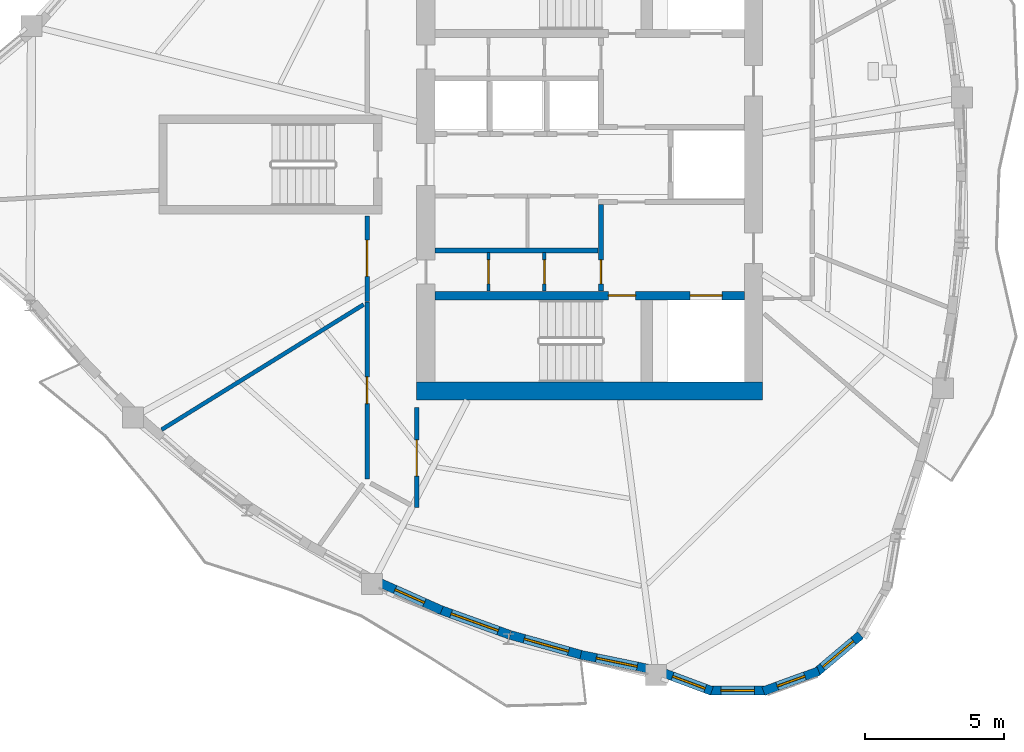
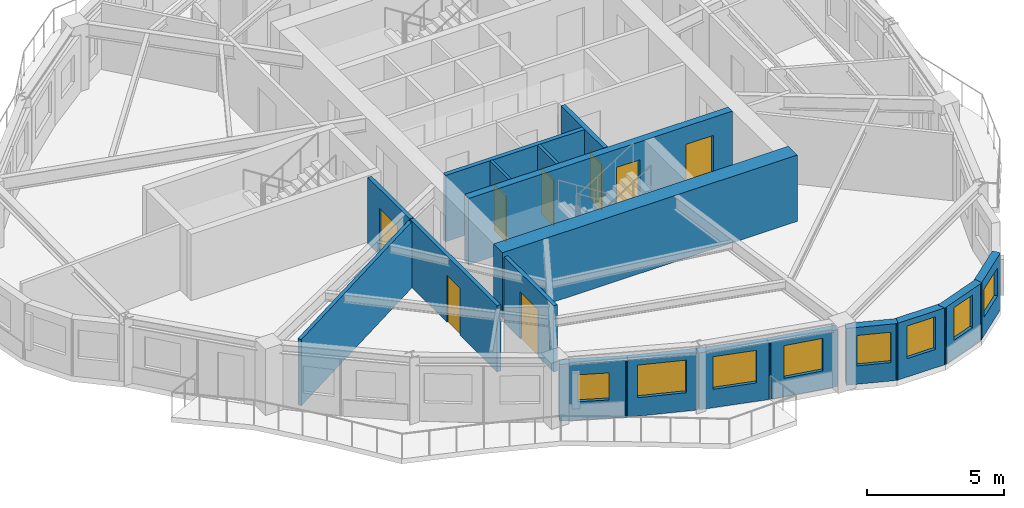
# One storey, part 3 of 12: 18 walls, 8 doors, 8 windows, 16 openings.
"""IFC4 building model written with IfcOpenShell, lengths in metres."""

import ifcopenshell
import ifcopenshell.guid

model = None  # the IFC model being written
_history = None  # IfcOwnerHistory: only IFC2X3 demands one
_inside = {}  # id of a spatial element -> (the spatial element, [elements in it])
_under = {}  # id of a project, library or spatial element -> (it, [spatial elements below it])
_declared = {}  # id of a project -> (the project, [libraries it declares])
_typed = {}  # id of a type object -> (the type object, [elements of that type])
_made_of = {}  # id of a material, layer set ... -> (it, [elements and type objects made of it])


def new_model(schema):
    """Start an empty IFC model of exactly this schema.

    Asked for "IFC4X3", IfcOpenShell would pick the latest addendum, in which some entities
    have other attributes; the version numbers below select the first issue.
    IFC2X3 requires an IfcOwnerHistory on every rooted entity: one is made here for all.
    """
    global model, _history
    if schema == "IFC4X3":
        model = ifcopenshell.file(schema_version=(4, 3, 0, 0))
    else:
        model = ifcopenshell.file(schema=schema)
    _inside.clear()
    _under.clear()
    _declared.clear()
    _typed.clear()
    _made_of.clear()
    _history = None
    if model.schema == "IFC2X3":
        org = make("IfcOrganization", Name="unknown")
        user = make(
            "IfcPersonAndOrganization",
            ThePerson=make("IfcPerson", FamilyName="unknown"),
            TheOrganization=org,
        )
        app = make(
            "IfcApplication",
            ApplicationDeveloper=org,
            Version="unknown",
            ApplicationFullName="unknown",
            ApplicationIdentifier="unknown",
        )
        _history = make(
            "IfcOwnerHistory",
            OwningUser=user,
            OwningApplication=app,
            ChangeAction="ADDED",
            CreationDate=0,
        )
    return model


def make(cls, **values):
    """One entity of the class cls with the attributes given. An attribute that is None is left unset."""
    return model.create_entity(
        cls, **{name: value for name, value in values.items() if value is not None}
    )


def rooted(cls, **values):
    """An entity with a GlobalId (a new one), such as an element, a storey or a relation."""
    return make(cls, GlobalId=ifcopenshell.guid.new(), OwnerHistory=_history, **values)


def si_unit(unit_type, name, prefix=None):
    """IfcSIUnit, for example si_unit("LENGTHUNIT", "METRE", prefix="MILLI")."""
    return make("IfcSIUnit", UnitType=unit_type, Prefix=prefix, Name=name)


def assignment(units):
    """IfcUnitAssignment: the units of a project."""
    return None if units is None else make("IfcUnitAssignment", Units=units)


def point(xyz):
    """IfcCartesianPoint."""
    return None if xyz is None else make("IfcCartesianPoint", Coordinates=xyz)


def direction(xyz):
    """IfcDirection."""
    return None if xyz is None else make("IfcDirection", DirectionRatios=xyz)


def frame(location, z_axis=None, x_axis=None):
    """IfcAxis2Placement3D, a coordinate frame: its origin and axes. An axis left out is left unset."""
    return make(
        "IfcAxis2Placement3D",
        Location=point(location),
        Axis=direction(z_axis),
        RefDirection=direction(x_axis),
    )


def frame_2d(location, x_axis=None):
    """IfcAxis2Placement2D, a coordinate frame in the plane: its origin and x axis."""
    return make(
        "IfcAxis2Placement2D", Location=point(location), RefDirection=direction(x_axis)
    )


def origin():
    """The frame at (0, 0, 0) with its axes left unset."""
    return frame((0.0, 0.0, 0.0))


def place(relative_to, where):
    """IfcLocalPlacement: puts the frame where relative to a parent placement (None: the world)."""
    return make(
        "IfcLocalPlacement", PlacementRelTo=relative_to, RelativePlacement=where
    )


def context(
    kind, dimensions, precision=None, world=None, true_north=None, identifier=None
):
    """IfcGeometricRepresentationContext, for example the 3D "Model" context."""
    return make(
        "IfcGeometricRepresentationContext",
        ContextIdentifier=identifier,
        ContextType=kind,
        CoordinateSpaceDimension=dimensions,
        Precision=precision,
        WorldCoordinateSystem=world,
        TrueNorth=true_north,
    )


def subcontext(parent, identifier, kind, view, scale=None):
    """IfcGeometricRepresentationSubContext, for example "Body" below "Model"."""
    return make(
        "IfcGeometricRepresentationSubContext",
        ContextIdentifier=identifier,
        ContextType=kind,
        ParentContext=parent,
        TargetScale=scale,
        TargetView=view,
    )


def project(units=None, contexts=None):
    """IfcProject with its units and contexts."""
    return rooted(
        "IfcProject",
        Name="project",
        RepresentationContexts=contexts,
        UnitsInContext=assignment(units),
    )


def spatial(cls, under=None, at=None, **own):
    """A site, building, storey or space (cls), placed at a placement, below another one or the project."""
    s = rooted(cls, ObjectPlacement=at, **own)
    if under is not None:
        _under.setdefault(under.id(), (under, []))[1].append(s)
    return s


def profile(cls, at=None, kind="AREA", **sizes):
    """A parametric profile (cls). Its sizes go by their IFC names, for example OverallWidth=200.0."""
    return make(cls, ProfileType=kind, Position=at, **sizes)


def rectangle(**sizes):
    """IfcRectangleProfileDef."""
    return profile("IfcRectangleProfileDef", **sizes)


def extrude(swept, where, along, depth):
    """IfcExtrudedAreaSolid: the profile swept, set in the frame where, extruded along a direction by depth."""
    return make(
        "IfcExtrudedAreaSolid",
        SweptArea=swept,
        Position=where,
        ExtrudedDirection=direction(along),
        Depth=depth,
    )


def shape(context_of_items, identifier, shape_type, items):
    """IfcShapeRepresentation: the items that make up one representation, for example the "Body"."""
    return make(
        "IfcShapeRepresentation",
        ContextOfItems=context_of_items,
        RepresentationIdentifier=identifier,
        RepresentationType=shape_type,
        Items=items,
    )


def source(mapping_origin, context_of_items, identifier, shape_type, items):
    """IfcRepresentationMap: a shape defined once, which mapped items show again and again."""
    return make(
        "IfcRepresentationMap",
        MappingOrigin=mapping_origin,
        MappedRepresentation=shape(context_of_items, identifier, shape_type, items),
    )


def transform(
    local_origin,
    x_axis=None,
    y_axis=None,
    z_axis=None,
    scale=None,
    scale2=None,
    scale3=None,
    uniform=True,
):
    """IfcCartesianTransformationOperator3D, or its non-uniform kind. x_axis, y_axis, z_axis: its Axis1, 2, 3."""
    if uniform:
        return make(
            "IfcCartesianTransformationOperator3D",
            Axis1=direction(x_axis),
            Axis2=direction(y_axis),
            LocalOrigin=point(local_origin),
            Scale=scale,
            Axis3=direction(z_axis),
        )
    return make(
        "IfcCartesianTransformationOperator3DnonUniform",
        Axis1=direction(x_axis),
        Axis2=direction(y_axis),
        LocalOrigin=point(local_origin),
        Scale=scale,
        Axis3=direction(z_axis),
        Scale2=scale2,
        Scale3=scale3,
    )


def mapped(mapping_source, mapping_target):
    """IfcMappedItem: shows the shape of a source again, moved by a transform."""
    return make(
        "IfcMappedItem", MappingSource=mapping_source, MappingTarget=mapping_target
    )


def material(Name=None, Category=None):
    """IfcMaterial."""
    return make("IfcMaterial", Name=Name, Category=Category)


def layer(
    of_material, thickness, ventilated=None, Name=None, Category=None, Priority=None
):
    """IfcMaterialLayer: one layer of a wall or slab, of a material (None: an air gap)."""
    return make(
        "IfcMaterialLayer",
        Material=of_material,
        LayerThickness=thickness,
        IsVentilated=ventilated,
        Name=Name,
        Category=Category,
        Priority=Priority,
    )


def layer_set(layers, Name=None):
    """IfcMaterialLayerSet."""
    return make("IfcMaterialLayerSet", MaterialLayers=layers, LayerSetName=Name)


def made_of(thing, what):
    """Note that an element or type object is made of a material, layer set ...; save() writes the relation."""
    if what is not None:
        _made_of.setdefault(what.id(), (what, []))[1].append(thing)
    return thing


def type_object(cls, material=None, **own):
    """A type object (cls), such as IfcWallType, which elements share."""
    return made_of(rooted(cls, **own), material)


def element(
    cls,
    number,
    at=None,
    inside=None,
    cuts=None,
    type_object=None,
    material=None,
    context=None,
    identifier="Body",
    shape_type=None,
    held_by="IfcProductDefinitionShape",
    body=None,
    shapes=None,
    **own,
):
    """One element of the class cls, such as IfcWall. Its Tag is "e" and its number.

    at: its placement. inside: the storey or other place that contains it. cuts: it is an
    opening in that element (IfcRelVoidsElement). A single representation is given by context,
    identifier, shape_type and body (its items); several are given by shapes. held_by: the class
    of the entity that holds the representations. save() writes the other relations.
    """
    e = rooted(cls, Tag="e%d" % number, ObjectPlacement=at, **own)
    if body is not None:
        shapes = [shape(context, identifier, shape_type, body)]
    if shapes is not None:
        e.Representation = make(held_by, Representations=shapes)
    if inside is not None:
        _inside.setdefault(inside.id(), (inside, []))[1].append(e)
    if cuts is not None:
        rooted(
            "IfcRelVoidsElement", RelatingBuildingElement=cuts, RelatedOpeningElement=e
        )
    if type_object is not None:
        _typed.setdefault(type_object.id(), (type_object, []))[1].append(e)
    return made_of(e, material)


def fill(opening, filler):
    """IfcRelFillsElement: the door or window that sits in an opening."""
    return rooted(
        "IfcRelFillsElement",
        RelatingOpeningElement=opening,
        RelatedBuildingElement=filler,
    )


def aggregate(whole, parts):
    """IfcRelAggregates: a whole, such as a stair, and the parts it consists of."""
    return rooted("IfcRelAggregates", RelatingObject=whole, RelatedObjects=parts)


def save(model, path):
    """Write the relations noted so far, then the file.

    IfcRelAggregates (storeys below a building ...), IfcRelContainedInSpatialStructure (elements
    in a storey), IfcRelDefinesByType, IfcRelAssociatesMaterial and IfcRelDeclares: one each for
    every whole, place, type object, material and project.
    """
    for whole, parts in _under.values():
        aggregate(whole, parts)
    for where, things in _inside.values():
        rooted(
            "IfcRelContainedInSpatialStructure",
            RelatedElements=things,
            RelatingStructure=where,
        )
    for kind, things in _typed.values():
        rooted("IfcRelDefinesByType", RelatedObjects=things, RelatingType=kind)
    for what, things in _made_of.values():
        rooted("IfcRelAssociatesMaterial", RelatedObjects=things, RelatingMaterial=what)
    for by, libraries in _declared.values():
        rooted("IfcRelDeclares", RelatingContext=by, RelatedDefinitions=libraries)
    model.write(path)


model = new_model("IFC4")

# Units and contexts
model_context = context("Model", 3, precision=1e-05, world=origin(), true_north=direction((0.0, 1.0)))
body_context = subcontext(model_context, "Body", "Model", "MODEL_VIEW")
ifc_project = project(units=[si_unit("LENGTHUNIT", "METRE"), si_unit("AREAUNIT", "SQUARE_METRE"), si_unit("VOLUMEUNIT", "CUBIC_METRE"), si_unit("PLANEANGLEUNIT", "RADIAN"), si_unit("MASSUNIT", "GRAM", prefix="KILO")], contexts=[model_context])

# Site, building, storey
site_placement = place(None, origin())
site = spatial("IfcSite", under=ifc_project, at=site_placement, CompositionType="ELEMENT")
building_placement = place(site_placement, origin())
building = spatial("IfcBuilding", under=site, at=building_placement, Name="Qafzar Sky-Pleat Residences", CompositionType="ELEMENT")
storey_placement = place(building_placement, frame((0.0, 0.0, 181.0)))
storey = spatial("IfcBuildingStorey", under=building, at=storey_placement, Name="L54", CompositionType="ELEMENT", Elevation=181.0)

# Wall, opening, door
ifc_material_1 = material(Name="Acoustic gypsum plasterboard partition", Category="gypsum")
ifc_layer_1 = layer(ifc_material_1, 0.159912109375)
ifc_layer_set_1 = layer_set([ifc_layer_1], Name="Acoustic gypsum plasterboard partition")
wall_type_1 = type_object("IfcWallType", Name="PART-COR-160", PredefinedType="PARTITIONING", material=ifc_layer_set_1)
wall_1_placement = place(storey_placement, frame((22.3701171875, 14.72998046875, 0.0), z_axis=(0.0, 0.0, 1.0), x_axis=(0.0, 1.0, 0.0)))
wall_1 = element("IfcWall", 1, at=wall_1_placement, inside=storey, type_object=wall_type_1, Name="L54 Partition Wall PART-L54-PW-002", PredefinedType="PARTITIONING", context=body_context, shape_type="SweptSolid", body=[
    extrude(rectangle(XDim=6.344970703125, YDim=0.159912109375, at=frame_2d((3.17236328125, 0.0))), origin(), (0.0, 0.0, 1.0), 2.949951171875),
])
opening_1_placement = place(wall_1_placement, frame((2.696533203125, 0.0, 0.0)))
opening_1 = element("IfcOpeningElement", 2, at=opening_1_placement, cuts=wall_1, Name="Opening ID-06", PredefinedType="OPENING", context=body_context, shape_type="SweptSolid", body=[
    extrude(rectangle(XDim=0.9599609375, YDim=2.10009765625, at=frame_2d((0.47998046875, 1.050048828125))), frame((0.0, 0.08984375, 0.0), z_axis=(0.0, -1.0, 0.0), x_axis=(1.0, 0.0, 0.0)), (0.0, 0.0, 1.0), 0.179931640625),
])
ifc_material_2 = material(Name="Timber-faced fire door", Category="wood")
door_type_1 = type_object("IfcDoorType", Name="DR-STD-960", OperationType="NOTDEFINED", PredefinedType="DOOR", material=ifc_material_2)
shared_shape_1 = source(origin(), body_context, "Body", "SweptSolid", [
    extrude(rectangle(XDim=0.9599609375, YDim=2.10009765625, at=frame_2d((0.47998046875, 1.050048828125))), frame((0.0, 0.02490234375, 0.0), z_axis=(0.0, -1.0, 0.0), x_axis=(1.0, 0.0, 0.0)), (0.0, 0.0, 1.0), 0.050048828125),
])
door_1_placement = place(opening_1_placement, origin())
door_1 = element("IfcDoor", 3, at=door_1_placement, inside=storey, type_object=door_type_1, Name="L54 Graduate Desk Workspace Door", OperationType="SINGLE_SWING_RIGHT", OverallHeight=2.10009765625, OverallWidth=0.9599609375, PredefinedType="DOOR", context=body_context, shape_type="MappedRepresentation", body=[
    mapped(shared_shape_1, transform((0.0, 0.0, 0.0), x_axis=(1.0, 0.0, 0.0), y_axis=(0.0, 1.0, 0.0), z_axis=(0.0, 0.0, 1.0), scale=1.0)),
])
fill(opening_1, door_1)

wall_2_placement = place(storey_placement, frame((24.14990234375, 17.2900390625, 0.0), z_axis=(0.0, 0.0, 1.0), x_axis=(0.0, -1.0, 0.0)))
wall_2 = element("IfcWall", 4, at=wall_2_placement, inside=storey, type_object=wall_type_1, Name="L54 Partition Wall PART-L54-PW-007", PredefinedType="PARTITIONING", context=body_context, shape_type="SweptSolid", body=[
    extrude(rectangle(XDim=3.593017578125, YDim=0.159912109375, at=frame_2d((1.79638671875, 0.0))), origin(), (0.0, 0.0, 1.0), 2.949951171875),
])
opening_2_placement = place(wall_2_placement, frame((1.159423828125, 0.0, 0.0)))
opening_2 = element("IfcOpeningElement", 5, at=opening_2_placement, cuts=wall_2, Name="Opening ID-05", PredefinedType="OPENING", context=body_context, shape_type="SweptSolid", body=[
    extrude(rectangle(XDim=1.300048828125, YDim=2.10009765625, at=frame_2d((0.64990234375, 1.050048828125))), frame((0.0, 0.08984375, 0.0), z_axis=(0.0, -1.0, 0.0), x_axis=(1.0, 0.0, 0.0)), (0.0, 0.0, 1.0), 0.179931640625),
])
door_type_2 = type_object("IfcDoorType", Name="DR-LNG-1300", OperationType="DOUBLE_DOOR_SINGLE_SWING", PredefinedType="DOOR", material=ifc_material_2)
shared_shape_2 = source(origin(), body_context, "Body", "SweptSolid", [
    extrude(rectangle(XDim=1.300048828125, YDim=2.10009765625, at=frame_2d((0.64990234375, 1.050048828125))), frame((0.0, 0.02490234375, 0.0), z_axis=(0.0, -1.0, 0.0), x_axis=(1.0, 0.0, 0.0)), (0.0, 0.0, 1.0), 0.050048828125),
])
door_2_placement = place(opening_2_placement, origin())
door_2 = element("IfcDoor", 6, at=door_2_placement, inside=storey, type_object=door_type_2, Name="L54 Academic Seminar Room Door", OperationType="DOUBLE_DOOR_SINGLE_SWING", OverallHeight=2.10009765625, OverallWidth=1.300048828125, PredefinedType="DOOR", context=body_context, shape_type="MappedRepresentation", body=[
    mapped(shared_shape_2, transform((0.0, 0.0, 0.0), x_axis=(1.0, 0.0, 0.0), y_axis=(0.0, 1.0, 0.0), z_axis=(0.0, 0.0, 1.0), scale=1.0)),
])
fill(opening_2, door_2)

wall_3_placement = place(storey_placement, frame((22.3701171875, 21.090087890625, 0.0), z_axis=(0.0, 0.0, 1.0), x_axis=(0.0, 1.0, 0.0)))
wall_3 = element("IfcWall", 7, at=wall_3_placement, inside=storey, type_object=wall_type_1, Name="L54 Partition Wall PART-L54-PW-009", PredefinedType="PARTITIONING", context=body_context, shape_type="SweptSolid", body=[
    extrude(rectangle(XDim=3.059814453125, YDim=0.159912109375, at=frame_2d((1.52978515625, 0.0))), origin(), (0.0, 0.0, 1.0), 2.949951171875),
])
opening_3_placement = place(wall_3_placement, frame((0.90087890625, 0.0, 0.0)))
opening_3 = element("IfcOpeningElement", 8, at=opening_3_placement, cuts=wall_3, Name="Opening ID-05", PredefinedType="OPENING", context=body_context, shape_type="SweptSolid", body=[
    extrude(rectangle(XDim=1.300048828125, YDim=2.10009765625, at=frame_2d((0.64990234375, 1.050048828125))), frame((0.0, 0.08984375, 0.0), z_axis=(0.0, -1.0, 0.0), x_axis=(1.0, 0.0, 0.0)), (0.0, 0.0, 1.0), 0.179931640625),
])
door_3_placement = place(opening_3_placement, origin())
door_3 = element("IfcDoor", 9, at=door_3_placement, inside=storey, type_object=door_type_2, Name="L54 Research Conference Room Door", OperationType="DOUBLE_DOOR_SINGLE_SWING", OverallHeight=2.10009765625, OverallWidth=1.300048828125, PredefinedType="DOOR", context=body_context, shape_type="MappedRepresentation", body=[
    mapped(shared_shape_2, transform((0.0, 0.0, 0.0), x_axis=(1.0, 0.0, 0.0), y_axis=(0.0, 1.0, 0.0), z_axis=(0.0, 0.0, 1.0), scale=1.0)),
])
fill(opening_3, door_3)

ifc_material_3 = material(Name="Concrete blockwork partition", Category="masonry")
ifc_layer_2 = layer(ifc_material_3, 0.179931640625)
ifc_layer_set_2 = layer_set([ifc_layer_2], Name="Concrete blockwork partition")
wall_type_2 = type_object("IfcWallType", Name="PART-SHAFT-180", PredefinedType="PARTITIONING", material=ifc_layer_set_2)
wall_4_placement = place(storey_placement, frame((30.75, 21.4599609375, 0.0), z_axis=(0.0, 0.0, 1.0), x_axis=(0.0, 1.0, 0.0)))
wall_4 = element("IfcWall", 10, at=wall_4_placement, inside=storey, type_object=wall_type_2, Name="L54 Partition Wall PART-L54-FFL1-W", PredefinedType="PARTITIONING", context=body_context, shape_type="SweptSolid", body=[
    extrude(rectangle(XDim=3.110107421875, YDim=0.179931640625, at=frame_2d((1.55517578125, 0.0))), origin(), (0.0, 0.0, 1.0), 2.949951171875),
])
opening_4_placement = place(wall_4_placement, frame((0.260009765625, 0.0, 0.0)))
opening_4 = element("IfcOpeningElement", 11, at=opening_4_placement, cuts=wall_4, Name="Opening ID-09", PredefinedType="OPENING", context=body_context, shape_type="SweptSolid", body=[
    extrude(rectangle(XDim=0.860107421875, YDim=2.050048828125, at=frame_2d((0.43017578125, 1.02490234375))), frame((0.0, 0.10009765625, 0.0), z_axis=(0.0, -1.0, 0.0), x_axis=(1.0, 0.0, 0.0)), (0.0, 0.0, 1.0), 0.199951171875),
])
door_type_3 = type_object("IfcDoorType", Name="DR-SVC-860", OperationType="NOTDEFINED", PredefinedType="DOOR", material=ifc_material_2)
shared_shape_3 = source(origin(), body_context, "Body", "SweptSolid", [
    extrude(rectangle(XDim=0.860107421875, YDim=2.050048828125, at=frame_2d((0.43017578125, 1.02490234375))), frame((0.0, 0.02490234375, 0.0), z_axis=(0.0, -1.0, 0.0), x_axis=(1.0, 0.0, 0.0)), (0.0, 0.0, 1.0), 0.050048828125),
])
door_4_placement = place(opening_4_placement, origin())
door_4 = element("IfcDoor", 12, at=door_4_placement, inside=storey, type_object=door_type_3, Name="L54 South Core Cupboard Door", OperationType="SINGLE_SWING_RIGHT", OverallHeight=2.050048828125, OverallWidth=0.860107421875, PredefinedType="DOOR", context=body_context, shape_type="MappedRepresentation", body=[
    mapped(shared_shape_3, transform((0.0, 0.0, 0.0), x_axis=(1.0, 0.0, 0.0), y_axis=(0.0, 1.0, 0.0), z_axis=(0.0, 0.0, 1.0), scale=1.0)),
])
fill(opening_4, door_4)

# Wall
wall_5_placement = place(storey_placement, frame((24.81005859375, 22.919921875, 0.0), z_axis=(0.0, 0.0, 1.0), x_axis=(1.0, 0.0, 0.0)))
element("IfcWall", 13, at=wall_5_placement, inside=storey, type_object=wall_type_2, Name="L54 Partition Wall PART-L54-P13-S", PredefinedType="PARTITIONING", context=body_context, shape_type="SweptSolid", body=[
    extrude(rectangle(XDim=5.83984375, YDim=0.179931640625, at=frame_2d((2.919921875, 0.0))), origin(), (0.0, 0.0, 1.0), 2.949951171875),
])

# Wall, opening, door
ifc_material_4 = material(Name="Gypsum plasterboard partition", Category="gypsum")
ifc_layer_3 = layer(ifc_material_4, 0.114990234375)
ifc_layer_set_3 = layer_set([ifc_layer_3], Name="Gypsum plasterboard partition")
wall_type_3 = type_object("IfcWallType", Name="PART-SVC-115", PredefinedType="PARTITIONING", material=ifc_layer_set_3)
wall_6_placement = place(storey_placement, frame((26.72509765625, 21.4599609375, 0.0), z_axis=(0.0, 0.0, 1.0), x_axis=(0.0, 1.0, 0.0)))
wall_6 = element("IfcWall", 14, at=wall_6_placement, inside=storey, type_object=wall_type_3, Name="L54 Partition Wall PART-L54-KC-SW-1", PredefinedType="PARTITIONING", context=body_context, shape_type="SweptSolid", body=[
    extrude(rectangle(XDim=1.380126953125, YDim=0.114990234375, at=frame_2d((0.68994140625, 0.0))), origin(), (0.0, 0.0, 1.0), 2.949951171875),
])
opening_5_placement = place(wall_6_placement, frame((0.260009765625, 0.0, 0.0)))
opening_5 = element("IfcOpeningElement", 15, at=opening_5_placement, cuts=wall_6, Name="Opening ID-09", PredefinedType="OPENING", context=body_context, shape_type="SweptSolid", body=[
    extrude(rectangle(XDim=0.860107421875, YDim=2.050048828125, at=frame_2d((0.43017578125, 1.02490234375))), frame((0.0, 0.0673828125, 0.0), z_axis=(0.0, -1.0, 0.0), x_axis=(1.0, 0.0, 0.0)), (0.0, 0.0, 1.0), 0.135009765625),
])
door_5_placement = place(opening_5_placement, origin())
door_5 = element("IfcDoor", 16, at=door_5_placement, inside=storey, type_object=door_type_3, Name="L54 Core South Cupboard 1 Door", OperationType="SINGLE_SWING_RIGHT", OverallHeight=2.050048828125, OverallWidth=0.860107421875, PredefinedType="DOOR", context=body_context, shape_type="MappedRepresentation", body=[
    mapped(shared_shape_3, transform((0.0, 0.0, 0.0), x_axis=(1.0, 0.0, 0.0), y_axis=(0.0, 1.0, 0.0), z_axis=(0.0, 0.0, 1.0), scale=1.0)),
])
fill(opening_5, door_5)

wall_7_placement = place(storey_placement, frame((28.72509765625, 21.4599609375, 0.0), z_axis=(0.0, 0.0, 1.0), x_axis=(0.0, 1.0, 0.0)))
wall_7 = element("IfcWall", 17, at=wall_7_placement, inside=storey, type_object=wall_type_3, Name="L54 Partition Wall PART-L54-KC-SW-2", PredefinedType="PARTITIONING", context=body_context, shape_type="SweptSolid", body=[
    extrude(rectangle(XDim=1.380126953125, YDim=0.114990234375, at=frame_2d((0.68994140625, 0.0))), origin(), (0.0, 0.0, 1.0), 2.949951171875),
])
opening_6_placement = place(wall_7_placement, frame((0.260009765625, 0.0, 0.0)))
opening_6 = element("IfcOpeningElement", 18, at=opening_6_placement, cuts=wall_7, Name="Opening ID-09", PredefinedType="OPENING", context=body_context, shape_type="SweptSolid", body=[
    extrude(rectangle(XDim=0.860107421875, YDim=2.050048828125, at=frame_2d((0.43017578125, 1.02490234375))), frame((0.0, 0.0673828125, 0.0), z_axis=(0.0, -1.0, 0.0), x_axis=(1.0, 0.0, 0.0)), (0.0, 0.0, 1.0), 0.135009765625),
])
door_6_placement = place(opening_6_placement, origin())
door_6 = element("IfcDoor", 19, at=door_6_placement, inside=storey, type_object=door_type_3, Name="L54 Core South Cupboard 2 Door", OperationType="SINGLE_SWING_RIGHT", OverallHeight=2.050048828125, OverallWidth=0.860107421875, PredefinedType="DOOR", context=body_context, shape_type="MappedRepresentation", body=[
    mapped(shared_shape_3, transform((0.0, 0.0, 0.0), x_axis=(1.0, 0.0, 0.0), y_axis=(0.0, 1.0, 0.0), z_axis=(0.0, 0.0, 1.0), scale=1.0)),
])
fill(opening_6, door_6)

# Wall
ifc_layer_4 = layer(ifc_material_1, 0.14501953125)
ifc_layer_set_4 = layer_set([ifc_layer_4], Name="Acoustic gypsum plasterboard partition")
wall_type_4 = type_object("IfcWallType", Name="PART-UNIT-145", PredefinedType="PARTITIONING", material=ifc_layer_set_4)
wall_8_placement = place(storey_placement, frame((15.002197265625, 16.494140625, 0.0), z_axis=(0.0, 0.0, 1.0), x_axis=(0.850179022177, 0.5264937134, 0.0)))
element("IfcWall", 20, at=wall_8_placement, inside=storey, type_object=wall_type_4, Name="L54 Partition Wall PART-L54-PW-012", PredefinedType="PARTITIONING", context=body_context, shape_type="SweptSolid", body=[
    extrude(rectangle(XDim=8.519287109375, YDim=0.14501953125, at=frame_2d((4.259765625, 0.0))), origin(), (0.0, 0.0, 1.0), 2.949951171875),
])

# Wall, opening, window
ifc_material_5 = material(Name="Precast concrete C40/50 with honed Riyadh limestone", Category="concrete")
ifc_layer_5 = layer(ifc_material_5, 0.320068359375)
ifc_layer_set_5 = layer_set([ifc_layer_5], Name="Precast concrete C40/50 with honed Riyadh limestone")
wall_type_5 = type_object("IfcWallType", Name="WALL-EXT-320", PredefinedType="SOLIDWALL", material=ifc_layer_set_5)
wall_9_placement = place(storey_placement, frame((22.763671875, 11.03076171875, 0.0), z_axis=(0.0, 0.0, 1.0), x_axis=(0.913148933567, -0.407626084942, 0.0)))
wall_9 = element("IfcWall", 21, at=wall_9_placement, inside=storey, type_object=wall_type_5, Name="L54 Limestone Facade Wall 13", PredefinedType="SOLIDWALL", context=body_context, shape_type="SweptSolid", body=[
    extrude(rectangle(XDim=2.496337890625, YDim=0.320068359375, at=frame_2d((1.248046875, 0.0))), origin(), (0.0, 0.0, 1.0), 2.530029296875),
])
opening_7_placement = place(wall_9_placement, frame((0.668212890625, 0.0, 0.820068359375)))
opening_7 = element("IfcOpeningElement", 22, at=opening_7_placement, cuts=wall_9, Name="Opening WN-16", PredefinedType="OPENING", context=body_context, shape_type="SweptSolid", body=[
    extrude(rectangle(XDim=1.14990234375, YDim=1.199951171875, at=frame_2d((0.574951171875, 0.60009765625))), frame((0.0, 0.169921875, 0.0), z_axis=(0.0, -1.0, 0.0), x_axis=(1.0, 0.0, 0.0)), (0.0, 0.0, 1.0), 0.340087890625),
])
ifc_material_6 = material(Name="Solar-control low-E glass in bronze aluminium frame", Category="glass")
window_type_1 = type_object("IfcWindowType", Name="WIN-16", PartitioningType="SINGLE_PANEL", PredefinedType="WINDOW", material=ifc_material_6)
shared_shape_4 = source(origin(), body_context, "Body", "SweptSolid", [
    extrude(rectangle(XDim=1.14990234375, YDim=1.199951171875, at=frame_2d((0.574951171875, 0.60009765625))), frame((0.0, 0.030029296875, 0.0), z_axis=(0.0, -1.0, 0.0), x_axis=(1.0, 0.0, 0.0)), (0.0, 0.0, 1.0), 0.06005859375),
])
window_1_placement = place(opening_7_placement, origin())
window_1 = element("IfcWindow", 23, at=window_1_placement, inside=storey, type_object=window_type_1, Name="L54 Punched Facade Window 13", OverallHeight=1.199951171875, OverallWidth=1.14990234375, PartitioningType="SINGLE_PANEL", PredefinedType="WINDOW", context=body_context, shape_type="MappedRepresentation", body=[
    mapped(shared_shape_4, transform((0.0, 0.0, 0.0), x_axis=(1.0, 0.0, 0.0), y_axis=(0.0, 1.0, 0.0), z_axis=(0.0, 0.0, 1.0), scale=1.0)),
])
fill(opening_7, window_1)

wall_10_placement = place(storey_placement, frame((24.961669921875, 10.046142578125, 0.0), z_axis=(0.0, 0.0, 1.0), x_axis=(0.940882751101, -0.33873241457, 0.0)))
wall_10 = element("IfcWall", 24, at=wall_10_placement, inside=storey, type_object=wall_type_5, Name="L54 Limestone Facade Wall 14", PredefinedType="SOLIDWALL", context=body_context, shape_type="SweptSolid", body=[
    extrude(rectangle(XDim=2.671142578125, YDim=0.320068359375, at=frame_2d((1.33544921875, 0.0))), origin(), (0.0, 0.0, 1.0), 2.530029296875),
])
opening_8_placement = place(wall_10_placement, frame((0.445556640625, 0.0, 0.820068359375)))
opening_8 = element("IfcOpeningElement", 25, at=opening_8_placement, cuts=wall_10, Name="Opening WN-01", PredefinedType="OPENING", context=body_context, shape_type="SweptSolid", body=[
    extrude(rectangle(XDim=1.800048828125, YDim=1.449951171875, at=frame_2d((0.89990234375, 0.72509765625))), frame((0.0, 0.169921875, 0.0), z_axis=(0.0, -1.0, 0.0), x_axis=(1.0, 0.0, 0.0)), (0.0, 0.0, 1.0), 0.340087890625),
])
window_type_2 = type_object("IfcWindowType", Name="WIN-01", PartitioningType="DOUBLE_PANEL_VERTICAL", PredefinedType="WINDOW", material=ifc_material_6)
shared_shape_5 = source(origin(), body_context, "Body", "SweptSolid", [
    extrude(rectangle(XDim=1.800048828125, YDim=1.449951171875, at=frame_2d((0.89990234375, 0.72509765625))), frame((0.0, 0.030029296875, 0.0), z_axis=(0.0, -1.0, 0.0), x_axis=(1.0, 0.0, 0.0)), (0.0, 0.0, 1.0), 0.06005859375),
])
window_2_placement = place(opening_8_placement, origin())
window_2 = element("IfcWindow", 26, at=window_2_placement, inside=storey, type_object=window_type_2, Name="L54 Punched Facade Window 14", OverallHeight=1.449951171875, OverallWidth=1.800048828125, PartitioningType="SINGLE_PANEL", PredefinedType="WINDOW", context=body_context, shape_type="MappedRepresentation", body=[
    mapped(shared_shape_5, transform((0.0, 0.0, 0.0), x_axis=(1.0, 0.0, 0.0), y_axis=(0.0, 1.0, 0.0), z_axis=(0.0, 0.0, 1.0), scale=1.0)),
])
fill(opening_8, window_2)

wall_11_placement = place(storey_placement, frame((27.501953125, 9.1328125, 0.0), z_axis=(0.0, 0.0, 1.0), x_axis=(0.962852806557, -0.270026800345, 0.0)))
wall_11 = element("IfcWall", 27, at=wall_11_placement, inside=storey, type_object=wall_type_5, Name="L54 Limestone Facade Wall 15", PredefinedType="SOLIDWALL", context=body_context, shape_type="SweptSolid", body=[
    extrude(rectangle(XDim=2.715087890625, YDim=0.320068359375, at=frame_2d((1.357421875, 0.0))), origin(), (0.0, 0.0, 1.0), 2.530029296875),
])
opening_9_placement = place(wall_11_placement, frame((0.522705078125, 0.0, 0.820068359375)))
opening_9 = element("IfcOpeningElement", 28, at=opening_9_placement, cuts=wall_11, Name="Opening WN-02", PredefinedType="OPENING", context=body_context, shape_type="SweptSolid", body=[
    extrude(rectangle(XDim=1.64990234375, YDim=1.449951171875, at=frame_2d((0.824951171875, 0.72509765625))), frame((0.0, 0.169921875, 0.0), z_axis=(0.0, -1.0, 0.0), x_axis=(1.0, 0.0, 0.0)), (0.0, 0.0, 1.0), 0.340087890625),
])
window_type_3 = type_object("IfcWindowType", Name="WIN-02", PartitioningType="DOUBLE_PANEL_VERTICAL", PredefinedType="WINDOW", material=ifc_material_6)
shared_shape_6 = source(origin(), body_context, "Body", "SweptSolid", [
    extrude(rectangle(XDim=1.64990234375, YDim=1.449951171875, at=frame_2d((0.824951171875, 0.72509765625))), frame((0.0, 0.030029296875, 0.0), z_axis=(0.0, -1.0, 0.0), x_axis=(1.0, 0.0, 0.0)), (0.0, 0.0, 1.0), 0.06005859375),
])
window_3_placement = place(opening_9_placement, origin())
window_3 = element("IfcWindow", 29, at=window_3_placement, inside=storey, type_object=window_type_3, Name="L54 Punched Facade Window 15", OverallHeight=1.449951171875, OverallWidth=1.64990234375, PartitioningType="SINGLE_PANEL", PredefinedType="WINDOW", context=body_context, shape_type="MappedRepresentation", body=[
    mapped(shared_shape_6, transform((0.0, 0.0, 0.0), x_axis=(1.0, 0.0, 0.0), y_axis=(0.0, 1.0, 0.0), z_axis=(0.0, 0.0, 1.0), scale=1.0)),
])
fill(opening_9, window_3)

wall_12_placement = place(storey_placement, frame((30.03173828125, 8.42041015625, 0.0), z_axis=(0.0, 0.0, 1.0), x_axis=(0.979291555144, -0.202455056799, 0.0)))
wall_12 = element("IfcWall", 30, at=wall_12_placement, inside=storey, type_object=wall_type_5, Name="L54 Limestone Facade Wall 16", PredefinedType="SOLIDWALL", context=body_context, shape_type="SweptSolid", body=[
    extrude(rectangle(XDim=2.627685546875, YDim=0.320068359375, at=frame_2d((1.31396484375, 0.0))), origin(), (0.0, 0.0, 1.0), 2.530029296875),
])
opening_10_placement = place(wall_12_placement, frame((0.56884765625, 0.0, 0.820068359375)))
opening_10 = element("IfcOpeningElement", 31, at=opening_10_placement, cuts=wall_12, Name="Opening WN-03", PredefinedType="OPENING", context=body_context, shape_type="SweptSolid", body=[
    extrude(rectangle(XDim=1.5, YDim=1.449951171875, at=frame_2d((0.75, 0.72509765625))), frame((0.0, 0.169921875, 0.0), z_axis=(0.0, -1.0, 0.0), x_axis=(1.0, 0.0, 0.0)), (0.0, 0.0, 1.0), 0.340087890625),
])
window_type_4 = type_object("IfcWindowType", Name="WIN-03", PartitioningType="DOUBLE_PANEL_VERTICAL", PredefinedType="WINDOW", material=ifc_material_6)
shared_shape_7 = source(origin(), body_context, "Body", "SweptSolid", [
    extrude(rectangle(XDim=1.5, YDim=1.449951171875, at=frame_2d((0.75, 0.72509765625))), frame((0.0, 0.030029296875, 0.0), z_axis=(0.0, -1.0, 0.0), x_axis=(1.0, 0.0, 0.0)), (0.0, 0.0, 1.0), 0.06005859375),
])
window_4_placement = place(opening_10_placement, origin())
window_4 = element("IfcWindow", 32, at=window_4_placement, inside=storey, type_object=window_type_4, Name="L54 Punched Facade Window 16", OverallHeight=1.449951171875, OverallWidth=1.5, PartitioningType="SINGLE_PANEL", PredefinedType="WINDOW", context=body_context, shape_type="MappedRepresentation", body=[
    mapped(shared_shape_7, transform((0.0, 0.0, 0.0), x_axis=(1.0, 0.0, 0.0), y_axis=(0.0, 1.0, 0.0), z_axis=(0.0, 0.0, 1.0), scale=1.0)),
])
fill(opening_10, window_4)

wall_13_placement = place(storey_placement, frame((32.944580078125, 7.79052734375, 0.0), z_axis=(0.0, 0.0, 1.0), x_axis=(0.93690697627, -0.349578771977, 0.0)))
wall_13 = element("IfcWall", 33, at=wall_13_placement, inside=storey, type_object=wall_type_5, Name="L54 Limestone Facade Wall 17", PredefinedType="SOLIDWALL", context=body_context, shape_type="SweptSolid", body=[
    extrude(rectangle(XDim=1.906005859375, YDim=0.320068359375, at=frame_2d((0.953125, 0.0))), origin(), (0.0, 0.0, 1.0), 2.530029296875),
])
opening_11_placement = place(wall_13_placement, frame((0.40283203125, 0.0, 0.820068359375)))
opening_11 = element("IfcOpeningElement", 34, at=opening_11_placement, cuts=wall_13, Name="Opening WN-11", PredefinedType="OPENING", context=body_context, shape_type="SweptSolid", body=[
    extrude(rectangle(XDim=1.25, YDim=1.35009765625, at=frame_2d((0.625, 0.675048828125))), frame((0.0, 0.169921875, 0.0), z_axis=(0.0, -1.0, 0.0), x_axis=(1.0, 0.0, 0.0)), (0.0, 0.0, 1.0), 0.340087890625),
])
window_type_5 = type_object("IfcWindowType", Name="WIN-11", PartitioningType="SINGLE_PANEL", PredefinedType="WINDOW", material=ifc_material_6)
shared_shape_8 = source(origin(), body_context, "Body", "SweptSolid", [
    extrude(rectangle(XDim=1.25, YDim=1.35009765625, at=frame_2d((0.625, 0.675048828125))), frame((0.0, 0.030029296875, 0.0), z_axis=(0.0, -1.0, 0.0), x_axis=(1.0, 0.0, 0.0)), (0.0, 0.0, 1.0), 0.06005859375),
])
window_5_placement = place(opening_11_placement, origin())
window_5 = element("IfcWindow", 35, at=window_5_placement, inside=storey, type_object=window_type_5, Name="L54 Punched Facade Window 17", OverallHeight=1.35009765625, OverallWidth=1.25, PartitioningType="SINGLE_PANEL", PredefinedType="WINDOW", context=body_context, shape_type="MappedRepresentation", body=[
    mapped(shared_shape_8, transform((0.0, 0.0, 0.0), x_axis=(1.0, 0.0, 0.0), y_axis=(0.0, 1.0, 0.0), z_axis=(0.0, 0.0, 1.0), scale=1.0)),
])
fill(opening_11, window_5)

wall_14_placement = place(storey_placement, frame((34.6015625, 7.14794921875, 0.0), z_axis=(0.0, 0.0, 1.0), x_axis=(0.9999881768, -0.004862742089, 0.0)))
wall_14 = element("IfcWall", 36, at=wall_14_placement, inside=storey, type_object=wall_type_5, Name="L54 Limestone Facade Wall 18", PredefinedType="SOLIDWALL", context=body_context, shape_type="SweptSolid", body=[
    extrude(rectangle(XDim=2.108642578125, YDim=0.320068359375, at=frame_2d((1.05419921875, 0.0))), origin(), (0.0, 0.0, 1.0), 2.530029296875),
])
opening_12_placement = place(wall_14_placement, frame((0.454345703125, 0.0, 0.820068359375)))
opening_12 = element("IfcOpeningElement", 37, at=opening_12_placement, cuts=wall_14, Name="Opening WN-05", PredefinedType="OPENING", context=body_context, shape_type="SweptSolid", body=[
    extrude(rectangle(XDim=1.199951171875, YDim=1.449951171875, at=frame_2d((0.60009765625, 0.72509765625))), frame((0.0, 0.169921875, 0.0), z_axis=(0.0, -1.0, 0.0), x_axis=(1.0, 0.0, 0.0)), (0.0, 0.0, 1.0), 0.340087890625),
])
window_type_6 = type_object("IfcWindowType", Name="WIN-05", PartitioningType="SINGLE_PANEL", PredefinedType="WINDOW", material=ifc_material_6)
shared_shape_9 = source(origin(), body_context, "Body", "SweptSolid", [
    extrude(rectangle(XDim=1.199951171875, YDim=1.449951171875, at=frame_2d((0.60009765625, 0.72509765625))), frame((0.0, 0.030029296875, 0.0), z_axis=(0.0, -1.0, 0.0), x_axis=(1.0, 0.0, 0.0)), (0.0, 0.0, 1.0), 0.06005859375),
])
window_6_placement = place(opening_12_placement, origin())
window_6 = element("IfcWindow", 38, at=window_6_placement, inside=storey, type_object=window_type_6, Name="L54 Punched Facade Window 18", OverallHeight=1.449951171875, OverallWidth=1.199951171875, PartitioningType="SINGLE_PANEL", PredefinedType="WINDOW", context=body_context, shape_type="MappedRepresentation", body=[
    mapped(shared_shape_9, transform((0.0, 0.0, 0.0), x_axis=(1.0, 0.0, 0.0), y_axis=(0.0, 1.0, 0.0), z_axis=(0.0, 0.0, 1.0), scale=1.0)),
])
fill(opening_12, window_6)

wall_15_placement = place(storey_placement, frame((36.581298828125, 7.115234375, 0.0), z_axis=(0.0, 0.0, 1.0), x_axis=(0.940205133241, 0.340608730698, 0.0)))
wall_15 = element("IfcWall", 39, at=wall_15_placement, inside=storey, type_object=wall_type_5, Name="L54 Limestone Facade Wall 19", PredefinedType="SOLIDWALL", context=body_context, shape_type="SweptSolid", body=[
    extrude(rectangle(XDim=2.108642578125, YDim=0.320068359375, at=frame_2d((1.05419921875, 0.0))), origin(), (0.0, 0.0, 1.0), 2.530029296875),
])
opening_13_placement = place(wall_15_placement, frame((0.529296875, 0.0, 0.820068359375)))
opening_13 = element("IfcOpeningElement", 40, at=opening_13_placement, cuts=wall_15, Name="Opening WN-06", PredefinedType="OPENING", context=body_context, shape_type="SweptSolid", body=[
    extrude(rectangle(XDim=1.050048828125, YDim=1.449951171875, at=frame_2d((0.52490234375, 0.72509765625))), frame((0.0, 0.169921875, 0.0), z_axis=(0.0, -1.0, 0.0), x_axis=(1.0, 0.0, 0.0)), (0.0, 0.0, 1.0), 0.340087890625),
])
window_type_7 = type_object("IfcWindowType", Name="WIN-06", PartitioningType="SINGLE_PANEL", PredefinedType="WINDOW", material=ifc_material_6)
shared_shape_10 = source(origin(), body_context, "Body", "SweptSolid", [
    extrude(rectangle(XDim=1.050048828125, YDim=1.449951171875, at=frame_2d((0.52490234375, 0.72509765625))), frame((0.0, 0.030029296875, 0.0), z_axis=(0.0, -1.0, 0.0), x_axis=(1.0, 0.0, 0.0)), (0.0, 0.0, 1.0), 0.06005859375),
])
window_7_placement = place(opening_13_placement, origin())
window_7 = element("IfcWindow", 41, at=window_7_placement, inside=storey, type_object=window_type_7, Name="L54 Punched Facade Window 19", OverallHeight=1.449951171875, OverallWidth=1.050048828125, PartitioningType="SINGLE_PANEL", PredefinedType="WINDOW", context=body_context, shape_type="MappedRepresentation", body=[
    mapped(shared_shape_10, transform((0.0, 0.0, 0.0), x_axis=(1.0, 0.0, 0.0), y_axis=(0.0, 1.0, 0.0), z_axis=(0.0, 0.0, 1.0), scale=1.0)),
])
fill(opening_13, window_7)

wall_16_placement = place(storey_placement, frame((38.45068359375, 7.767822265625, 0.0), z_axis=(0.0, 0.0, 1.0), x_axis=(0.764947219724, 0.644092967697, 0.0)))
wall_16 = element("IfcWall", 42, at=wall_16_placement, inside=storey, type_object=wall_type_5, Name="L54 Limestone Facade Wall 20", PredefinedType="SOLIDWALL", context=body_context, shape_type="SweptSolid", body=[
    extrude(rectangle(XDim=2.109130859375, YDim=0.320068359375, at=frame_2d((1.0546875, 0.0))), origin(), (0.0, 0.0, 1.0), 2.530029296875),
])
opening_14_placement = place(wall_16_placement, frame((0.329345703125, 0.0, 0.820068359375)))
opening_14 = element("IfcOpeningElement", 43, at=opening_14_placement, cuts=wall_16, Name="Opening WN-15", PredefinedType="OPENING", context=body_context, shape_type="SweptSolid", body=[
    extrude(rectangle(XDim=1.449951171875, YDim=1.25, at=frame_2d((0.72509765625, 0.625))), frame((0.0, 0.169921875, 0.0), z_axis=(0.0, -1.0, 0.0), x_axis=(1.0, 0.0, 0.0)), (0.0, 0.0, 1.0), 0.340087890625),
])
window_type_8 = type_object("IfcWindowType", Name="WIN-15", PartitioningType="SINGLE_PANEL", PredefinedType="WINDOW", material=ifc_material_6)
shared_shape_11 = source(origin(), body_context, "Body", "SweptSolid", [
    extrude(rectangle(XDim=1.449951171875, YDim=1.25, at=frame_2d((0.72509765625, 0.625))), frame((0.0, 0.030029296875, 0.0), z_axis=(0.0, -1.0, 0.0), x_axis=(1.0, 0.0, 0.0)), (0.0, 0.0, 1.0), 0.06005859375),
])
window_8_placement = place(opening_14_placement, origin())
window_8 = element("IfcWindow", 44, at=window_8_placement, inside=storey, type_object=window_type_8, Name="L54 Punched Facade Window 20", OverallHeight=1.25, OverallWidth=1.449951171875, PartitioningType="SINGLE_PANEL", PredefinedType="WINDOW", context=body_context, shape_type="MappedRepresentation", body=[
    mapped(shared_shape_11, transform((0.0, 0.0, 0.0), x_axis=(1.0, 0.0, 0.0), y_axis=(0.0, 1.0, 0.0), z_axis=(0.0, 0.0, 1.0), scale=1.0)),
])
fill(opening_14, window_8)

# Wall, openings, doors
ifc_material_7 = material(Name="Concrete C60/75", Category="concrete")
ifc_layer_6 = layer(ifc_material_7, 0.300048828125)
ifc_layer_set_6 = layer_set([ifc_layer_6], Name="Concrete C60/75")
wall_type_6 = type_object("IfcWallType", Name="WALL-SHEAR-300", PredefinedType="SHEAR", material=ifc_layer_set_6)
wall_17_placement = place(storey_placement, frame((24.800048828125, 21.300048828125, 0.0), z_axis=(0.0, 0.0, 1.0), x_axis=(1.0, 0.0, 0.0)))
wall_17 = element("IfcWall", 45, at=wall_17_placement, inside=storey, type_object=wall_type_6, Name="L54 Stair ST1 and FF1 Shaft North Wall", PredefinedType="SHEAR", context=body_context, shape_type="SweptSolid", body=[
    extrude(rectangle(XDim=11.099853515625, YDim=0.300048828125, at=frame_2d((5.5498046875, 0.0))), origin(), (0.0, 0.0, 1.0), 2.949951171875),
])
opening_15_placement = place(wall_17_placement, frame((6.219970703125, 0.0, 0.0)))
opening_15 = element("IfcOpeningElement", 46, at=opening_15_placement, cuts=wall_17, Name="Opening ID-01", PredefinedType="OPENING", context=body_context, shape_type="SweptSolid", body=[
    extrude(rectangle(XDim=0.97998046875, YDim=2.14990234375, at=frame_2d((0.489990234375, 1.074951171875))), frame((0.0, 0.16015625, 0.0), z_axis=(0.0, -1.0, 0.0), x_axis=(1.0, 0.0, 0.0)), (0.0, 0.0, 1.0), 0.320068359375),
])
opening_16_placement = place(wall_17_placement, frame((9.14990234375, 0.0, 0.0)))
opening_16 = element("IfcOpeningElement", 47, at=opening_16_placement, cuts=wall_17, Name="Opening LD-02", PredefinedType="OPENING", context=body_context, shape_type="SweptSolid", body=[
    extrude(rectangle(XDim=1.14990234375, YDim=2.14990234375, at=frame_2d((0.574951171875, 1.074951171875))), frame((0.0, 0.16015625, 0.0), z_axis=(0.0, -1.0, 0.0), x_axis=(1.0, 0.0, 0.0)), (0.0, 0.0, 1.0), 0.320068359375),
])
door_type_4 = type_object("IfcDoorType", Name="DR-STAIR-980", OperationType="NOTDEFINED", PredefinedType="DOOR", material=ifc_material_2)
shared_shape_12 = source(origin(), body_context, "Body", "SweptSolid", [
    extrude(rectangle(XDim=0.97998046875, YDim=2.14990234375, at=frame_2d((0.489990234375, 1.074951171875))), frame((0.0, 0.02490234375, 0.0), z_axis=(0.0, -1.0, 0.0), x_axis=(1.0, 0.0, 0.0)), (0.0, 0.0, 1.0), 0.050048828125),
])
door_7_placement = place(opening_15_placement, origin())
door_7 = element("IfcDoor", 48, at=door_7_placement, inside=storey, type_object=door_type_4, Name="L54 Stair ST1 Fire Door", OperationType="SINGLE_SWING_LEFT", OverallHeight=2.14990234375, OverallWidth=0.97998046875, PredefinedType="DOOR", context=body_context, shape_type="MappedRepresentation", body=[
    mapped(shared_shape_12, transform((0.0, 0.0, 0.0), x_axis=(1.0, 0.0, 0.0), y_axis=(0.0, 1.0, 0.0), z_axis=(0.0, 0.0, 1.0), scale=1.0)),
])
fill(opening_15, door_7)
ifc_material_8 = material(Name="Stainless steel sliding landing door", Category="steel")
door_type_5 = type_object("IfcDoorType", Name="DR-LIFT-FF", OperationType="DOUBLE_DOOR_SLIDING", PredefinedType="DOOR", material=ifc_material_8)
shared_shape_13 = source(origin(), body_context, "Body", "SweptSolid", [
    extrude(rectangle(XDim=1.14990234375, YDim=2.14990234375, at=frame_2d((0.574951171875, 1.074951171875))), frame((0.0, 0.02490234375, 0.0), z_axis=(0.0, -1.0, 0.0), x_axis=(1.0, 0.0, 0.0)), (0.0, 0.0, 1.0), 0.050048828125),
])
door_8_placement = place(opening_16_placement, origin())
door_8 = element("IfcDoor", 49, at=door_8_placement, inside=storey, type_object=door_type_5, Name="L54 Firefighting Lift FF1 Landing Door", OperationType="DOUBLE_DOOR_SLIDING", OverallHeight=2.14990234375, OverallWidth=1.14990234375, PredefinedType="DOOR", context=body_context, shape_type="MappedRepresentation", body=[
    mapped(shared_shape_13, transform((0.0, 0.0, 0.0), x_axis=(1.0, 0.0, 0.0), y_axis=(0.0, 1.0, 0.0), z_axis=(0.0, 0.0, 1.0), scale=1.0)),
])
fill(opening_16, door_8)

# Wall
ifc_layer_7 = layer(ifc_material_7, 0.64990234375)
ifc_layer_set_7 = layer_set([ifc_layer_7], Name="Concrete C60/75")
wall_type_7 = type_object("IfcWallType", Name="WALL-SHEAR-650", PredefinedType="SHEAR", material=ifc_layer_set_7)
wall_18_placement = place(storey_placement, frame((24.14990234375, 17.875, 0.0), z_axis=(0.0, 0.0, 1.0), x_axis=(1.0, 0.0, 0.0)))
element("IfcWall", 50, at=wall_18_placement, inside=storey, type_object=wall_type_7, Name="L54 CORE wall S", PredefinedType="SHEAR", context=body_context, shape_type="SweptSolid", body=[
    extrude(rectangle(XDim=12.400146484375, YDim=0.64990234375, at=frame_2d((6.2001953125, 0.0))), origin(), (0.0, 0.0, 1.0), 2.949951171875),
])

save(model, "model.ifc")
